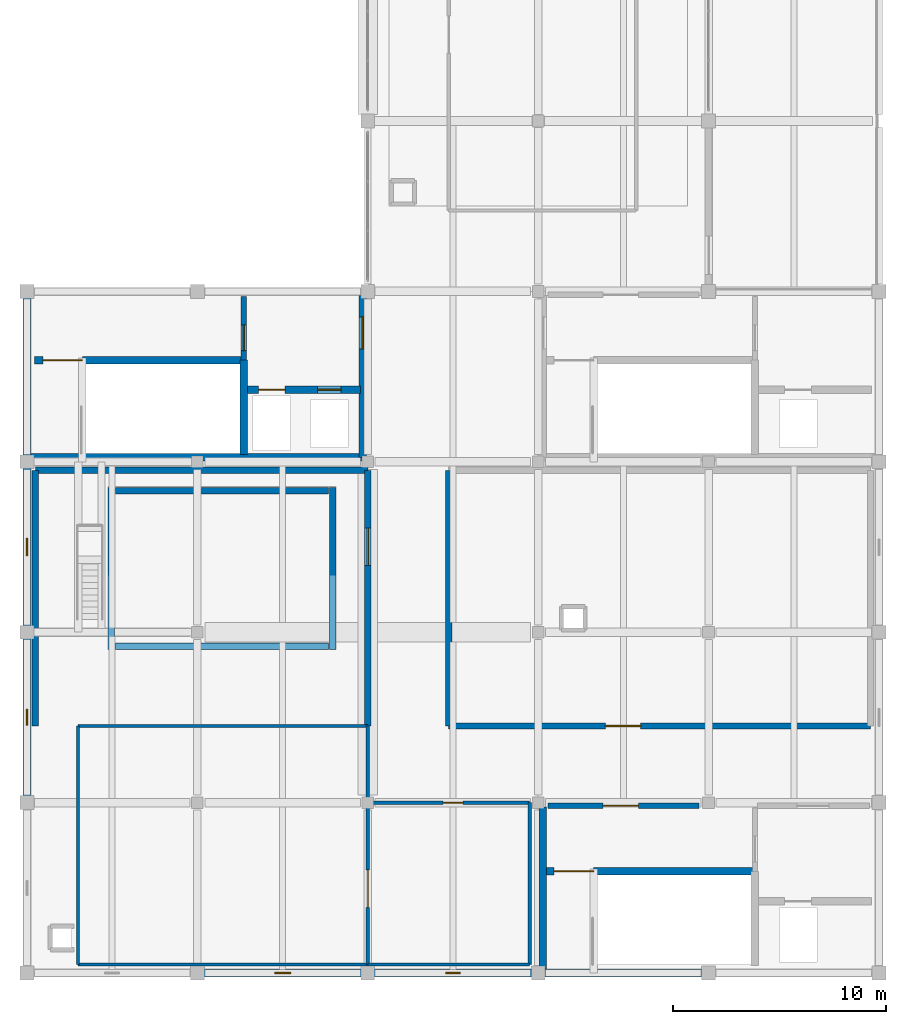
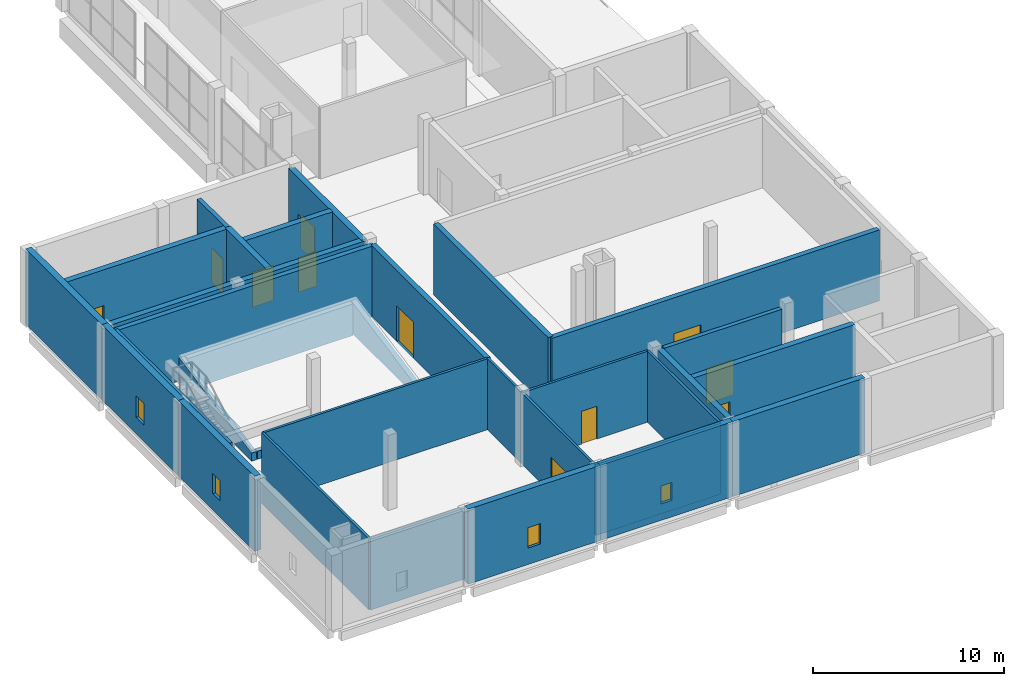
# One storey, part 5 of 8: 31 walls, 11 doors, 4 windows, 15 openings.
"""IFC4 building model written with IfcOpenShell, lengths in metres."""

from ifc_helpers import new_model, si_unit, direction, frame, frame_2d, origin, place, context, subcontext, project, spatial, polyline, rectangle, outline, extrude, material, layer, layer_set, type_object, element, fill, save


model = new_model("IFC4")

# Units and contexts
model_context = context("Model", 3, precision=1e-05, world=origin(), true_north=direction((0.0, 1.0)))
body_context = subcontext(model_context, "Body", "Model", "MODEL_VIEW")
ifc_project = project(units=[si_unit("LENGTHUNIT", "METRE"), si_unit("AREAUNIT", "SQUARE_METRE"), si_unit("VOLUMEUNIT", "CUBIC_METRE"), si_unit("PLANEANGLEUNIT", "RADIAN"), si_unit("MASSUNIT", "GRAM", prefix="KILO")], contexts=[model_context])

# Site, building, storey
site_placement = place(None, origin())
site = spatial("IfcSite", under=ifc_project, at=site_placement, CompositionType="ELEMENT")
building_placement = place(site_placement, origin())
building = spatial("IfcBuilding", under=site, at=building_placement, Name="Qorikala Patio Media Centre", CompositionType="ELEMENT")
storey_placement = place(building_placement, frame((0.0, 0.0, 27.89990234375)))
storey = spatial("IfcBuildingStorey", under=building, at=storey_placement, Name="L06", CompositionType="ELEMENT", Elevation=27.89990234375)

# Walls
ifc_material_1 = material(Name="Concrete C35/45", Category="concrete")
ifc_layer_1 = layer(ifc_material_1, 0.300048828125)
ifc_layer_set_1 = layer_set([ifc_layer_1], Name="Concrete C35/45")
wall_type_1 = type_object("IfcWallType", Name="WL-AC-300", PredefinedType="SHEAR", material=ifc_layer_set_1)
for number, where, z_axis, x_axis, name in (
    (1, (6.949951171875, 18.199951171875, 0.0), (0.0, 0.0, 1.0), (0.0, 1.0, 0.0), "Premiere Cinema Screen 7 Balcony Seating Tier Raker Cheek Wall W"),
    (2, (17.35009765625, 18.199951171875, 0.0), (0.0, 0.0, 1.0), (0.0, 1.0, 0.0), "Premiere Cinema Screen 7 Balcony Seating Tier Raker Cheek Wall E"),
):
    element("IfcWall", number, at=place(storey_placement, frame(where, z_axis=z_axis, x_axis=x_axis)), inside=storey, type_object=wall_type_1, Name=name, PredefinedType="SHEAR", context=body_context, shape_type="SweptSolid", body=[
        extrude(outline(polyline([(0.0, 0.0), (7.60009765625, 0.0), (7.60009765625, 2.02001953125), (0.0, 0.52001953125), (0.0, 0.0)])), frame((0.0, 0.14990234375, 0.0), z_axis=(0.0, -1.0, 0.0), x_axis=(1.0, 0.0, 0.0)), (0.0, 0.0, 1.0), 0.300048828125),
    ])
wall_1_placement = place(storey_placement, frame((7.14990234375, 25.64990234375, 0.0), z_axis=(0.0, 0.0, 1.0), x_axis=(1.0, 0.0, 0.0)))
element("IfcWall", 3, at=wall_1_placement, inside=storey, type_object=wall_type_1, Name="Premiere Cinema Screen 7 Balcony Seating Tier Rear Riser Support Wall", PredefinedType="SHEAR", context=body_context, shape_type="SweptSolid", body=[
    extrude(rectangle(XDim=10.0, YDim=0.300048828125, at=frame_2d((5.0, 0.0))), origin(), (0.0, 0.0, 1.0), 2.02001953125),
])
wall_2_placement = place(storey_placement, frame((7.14990234375, 18.35009765625, 0.0), z_axis=(0.0, 0.0, 1.0), x_axis=(1.0, 0.0, 0.0)))
element("IfcWall", 4, at=wall_2_placement, inside=storey, type_object=wall_type_1, Name="Premiere Cinema Screen 7 Balcony Seating Tier Front Riser Support Wall", PredefinedType="SHEAR", context=body_context, shape_type="SweptSolid", body=[
    extrude(rectangle(XDim=10.0, YDim=0.300048828125, at=frame_2d((5.0, 0.0))), origin(), (0.0, 0.0, 1.0), 0.52001953125),
])

# Wall, opening, door
wall_3_placement = place(storey_placement, frame((19.0, 14.60009765625, 0.0), z_axis=(0.0, 0.0, 1.0), x_axis=(0.0, 1.0, 0.0)))
wall_3 = element("IfcWall", 5, at=wall_3_placement, inside=storey, type_object=wall_type_1, Name="L06 Interior Wall WINT-L06-BAL7-E", PredefinedType="SHEAR", context=body_context, shape_type="SweptSolid", body=[
    extrude(rectangle(XDim=12.0, YDim=0.300048828125, at=frame_2d((6.0, 0.0))), origin(), (0.0, 0.0, 1.0), 4.5400390625),
])
opening_1_placement = place(wall_3_placement, frame((7.5380859375, 0.0, 0.0)))
opening_1 = element("IfcOpeningElement", 6, at=opening_1_placement, cuts=wall_3, Name="Opening D322", PredefinedType="OPENING", context=body_context, shape_type="SweptSolid", body=[
    extrude(rectangle(XDim=1.75, YDim=2.280029296875, at=frame_2d((0.875, 1.14013671875))), frame((0.0, 0.159912109375, 0.0), z_axis=(0.0, -1.0, 0.0), x_axis=(1.0, 0.0, 0.0)), (0.0, 0.0, 1.0), 0.320068359375),
])
ifc_material_2 = material(Name="Powder-Coated Acoustic Fire Steel", Category="steel")
door_type_1 = type_object("IfcDoorType", Name="DR-FD60-175X228", OperationType="DOUBLE_DOOR_SINGLE_SWING", PredefinedType="DOOR", material=ifc_material_2)
door_1_placement = place(opening_1_placement, origin())
door_1 = element("IfcDoor", 7, at=door_1_placement, inside=storey, type_object=door_type_1, Name="Premiere Cinema Upper Seating Tier Door 111", OperationType="DOUBLE_DOOR_SINGLE_SWING", OverallHeight=2.280029296875, OverallWidth=1.75, PredefinedType="DOOR", context=body_context, shape_type="SweptSolid", body=[
    extrude(rectangle(XDim=1.75, YDim=2.280029296875, at=frame_2d((0.875, 1.14013671875))), frame((0.0, 0.02490234375, 0.0), z_axis=(0.0, -1.0, 0.0), x_axis=(1.0, 0.0, 0.0)), (0.0, 0.0, 1.0), 0.050048828125),
])
fill(opening_1, door_1)

# Walls
wall_4_placement = place(storey_placement, frame((3.39990234375, 26.60009765625, 0.0), z_axis=(0.0, 0.0, 1.0), x_axis=(1.0, 0.0, 0.0)))
element("IfcWall", 8, at=wall_4_placement, inside=storey, type_object=wall_type_1, Name="L06 Interior Wall WINT-L06-BAL7-N", PredefinedType="SHEAR", context=body_context, shape_type="SweptSolid", body=[
    extrude(rectangle(XDim=15.60009765625, YDim=0.300048828125, at=frame_2d((7.800048828125, 0.0))), origin(), (0.0, 0.0, 1.0), 4.5400390625),
])
wall_5_placement = place(storey_placement, frame((3.39990234375, 14.60009765625, 0.0), z_axis=(0.0, 0.0, 1.0), x_axis=(0.0, 1.0, 0.0)))
element("IfcWall", 9, at=wall_5_placement, inside=storey, type_object=wall_type_1, Name="L06 Interior Wall WINT-L06-BAL7-W", PredefinedType="SHEAR", context=body_context, shape_type="SweptSolid", body=[
    extrude(rectangle(XDim=12.0, YDim=0.300048828125, at=frame_2d((6.0, 0.0))), origin(), (0.0, 0.0, 1.0), 4.5400390625),
])

# Wall, opening, door
wall_6_placement = place(storey_placement, frame((22.800048828125, 14.60009765625, 0.0), z_axis=(0.0, 0.0, 1.0), x_axis=(1.0, 0.0, 0.0)))
wall_6 = element("IfcWall", 10, at=wall_6_placement, inside=storey, type_object=wall_type_1, Name="L06 Interior Wall WINT-L06-MPRJ-S", PredefinedType="SHEAR", context=body_context, shape_type="SweptSolid", body=[
    extrude(rectangle(XDim=19.800048828125, YDim=0.300048828125, at=frame_2d((9.89990234375, 0.0))), origin(), (0.0, 0.0, 1.0), 4.5400390625),
])
opening_2_placement = place(wall_6_placement, frame((7.360107421875, 0.0, 0.0)))
opening_2 = element("IfcOpeningElement", 11, at=opening_2_placement, cuts=wall_6, Name="Opening D323", PredefinedType="OPENING", context=body_context, shape_type="SweptSolid", body=[
    extrude(rectangle(XDim=1.64990234375, YDim=2.25, at=frame_2d((0.824951171875, 1.125))), frame((0.0, 0.159912109375, 0.0), z_axis=(0.0, -1.0, 0.0), x_axis=(1.0, 0.0, 0.0)), (0.0, 0.0, 1.0), 0.320068359375),
])
door_type_2 = type_object("IfcDoorType", Name="DR-FD60-165X225", OperationType="DOUBLE_DOOR_SINGLE_SWING", PredefinedType="DOOR", material=ifc_material_2)
door_2_placement = place(opening_2_placement, origin())
door_2 = element("IfcDoor", 12, at=door_2_placement, inside=storey, type_object=door_type_2, Name="Master Premiere Projection Booth Door 112", OperationType="DOUBLE_DOOR_SINGLE_SWING", OverallHeight=2.25, OverallWidth=1.64990234375, PredefinedType="DOOR", context=body_context, shape_type="SweptSolid", body=[
    extrude(rectangle(XDim=1.64990234375, YDim=2.25, at=frame_2d((0.824951171875, 1.125))), frame((0.0, 0.02490234375, 0.0), z_axis=(0.0, -1.0, 0.0), x_axis=(1.0, 0.0, 0.0)), (0.0, 0.0, 1.0), 0.050048828125),
])
fill(opening_2, door_2)

# Walls
wall_7_placement = place(storey_placement, frame((22.800048828125, 14.60009765625, 0.0), z_axis=(0.0, 0.0, 1.0), x_axis=(0.0, 1.0, 0.0)))
element("IfcWall", 13, at=wall_7_placement, inside=storey, type_object=wall_type_1, Name="L06 Interior Wall WINT-L06-MPRJ-W", PredefinedType="SHEAR", context=body_context, shape_type="SweptSolid", body=[
    extrude(rectangle(XDim=12.0, YDim=0.300048828125, at=frame_2d((6.0, 0.0))), origin(), (0.0, 0.0, 1.0), 4.5400390625),
])
ifc_layer_2 = layer(ifc_material_1, 0.35009765625)
ifc_layer_set_2 = layer_set([ifc_layer_2], Name="Concrete C35/45")
wall_type_2 = type_object("IfcWallType", Name="WL-CORE-350", PredefinedType="SHEAR", material=ifc_layer_set_2)
wall_8_placement = place(storey_placement, frame((27.22509765625, 3.199951171875, 0.0), z_axis=(0.0, 0.0, 1.0), x_axis=(0.0, 1.0, 0.0)))
element("IfcWall", 14, at=wall_8_placement, inside=storey, type_object=wall_type_2, Name="L06 Interior Wall CW-L06-C1-SW", PredefinedType="SHEAR", context=body_context, shape_type="SweptSolid", body=[
    extrude(rectangle(XDim=7.60009765625, YDim=0.35009765625, at=frame_2d((3.800048828125, 0.0))), origin(), (0.0, 0.0, 1.0), 4.5400390625),
])

# Wall, opening, door
wall_9_placement = place(storey_placement, frame((27.35009765625, 7.77490234375, 0.0), z_axis=(0.0, 0.0, 1.0), x_axis=(1.0, 0.0, 0.0)))
wall_9 = element("IfcWall", 15, at=wall_9_placement, inside=storey, type_object=wall_type_2, Name="L06 Interior Wall CW-L06-C1-SN", PredefinedType="SHEAR", context=body_context, shape_type="SweptSolid", body=[
    extrude(rectangle(XDim=9.824951171875, YDim=0.35009765625, at=frame_2d((4.91259765625, 0.0))), origin(), (0.0, 0.0, 1.0), 4.5400390625),
])
opening_3_placement = place(wall_9_placement, frame((0.39990234375, 0.0, 0.0)))
opening_3 = element("IfcOpeningElement", 16, at=opening_3_placement, cuts=wall_9, Name="Opening D051", PredefinedType="OPENING", context=body_context, shape_type="SweptSolid", body=[
    extrude(rectangle(XDim=1.85009765625, YDim=2.25, at=frame_2d((0.925048828125, 1.125))), frame((0.0, 0.18505859375, 0.0), z_axis=(0.0, -1.0, 0.0), x_axis=(1.0, 0.0, 0.0)), (0.0, 0.0, 1.0), 0.3701171875),
])
door_type_3 = type_object("IfcDoorType", Name="DR-FD60-185X225", OperationType="DOUBLE_DOOR_SINGLE_SWING", PredefinedType="DOOR", material=ifc_material_2)
door_3_placement = place(opening_3_placement, origin())
door_3 = element("IfcDoor", 17, at=door_3_placement, inside=storey, type_object=door_type_3, Name="L06 Stair ST-1 Fire Door", OperationType="DOUBLE_DOOR_SINGLE_SWING", OverallHeight=2.25, OverallWidth=1.85009765625, PredefinedType="DOOR", context=body_context, shape_type="SweptSolid", body=[
    extrude(rectangle(XDim=1.85009765625, YDim=2.25, at=frame_2d((0.925048828125, 1.125))), frame((0.0, 0.02490234375, 0.0), z_axis=(0.0, -1.0, 0.0), x_axis=(1.0, 0.0, 0.0)), (0.0, 0.0, 1.0), 0.050048828125),
])
fill(opening_3, door_3)

# Walls
wall_10_placement = place(storey_placement, frame((3.199951171875, 27.22509765625, 0.0), z_axis=(0.0, 0.0, 1.0), x_axis=(1.0, 0.0, 0.0)))
element("IfcWall", 18, at=wall_10_placement, inside=storey, type_object=wall_type_2, Name="L06 Core C2 Stair South Wall", PredefinedType="SHEAR", context=body_context, shape_type="SweptSolid", body=[
    extrude(rectangle(XDim=15.60009765625, YDim=0.35009765625, at=frame_2d((7.800048828125, 0.0))), origin(), (0.0, 0.0, 1.0), 4.5400390625),
])
wall_11_placement = place(storey_placement, frame((13.175048828125, 27.35009765625, 0.0), z_axis=(0.0, 0.0, 1.0), x_axis=(0.0, 1.0, 0.0)))
element("IfcWall", 19, at=wall_11_placement, inside=storey, type_object=wall_type_2, Name="L06 Interior Wall CW-L06-C2-SE", PredefinedType="SHEAR", context=body_context, shape_type="SweptSolid", body=[
    extrude(rectangle(XDim=4.4248046875, YDim=0.35009765625, at=frame_2d((2.21240234375, 0.0))), origin(), (0.0, 0.0, 1.0), 4.5400390625),
])

# Wall, opening, door
wall_12_placement = place(storey_placement, frame((18.77490234375, 27.199951171875, 0.0), z_axis=(0.0, 0.0, 1.0), x_axis=(0.0, 1.0, 0.0)))
wall_12 = element("IfcWall", 20, at=wall_12_placement, inside=storey, type_object=wall_type_2, Name="L06 Interior Wall CW-L06-C2-EE", PredefinedType="SHEAR", context=body_context, shape_type="SweptSolid", body=[
    extrude(rectangle(XDim=7.60009765625, YDim=0.35009765625, at=frame_2d((3.800048828125, 0.0))), origin(), (0.0, 0.0, 1.0), 4.5400390625),
])
opening_4_placement = place(wall_12_placement, frame((5.10009765625, 0.0, 0.0)))
opening_4 = element("IfcOpeningElement", 21, at=opening_4_placement, cuts=wall_12, Name="Opening D090", PredefinedType="OPENING", context=body_context, shape_type="SweptSolid", body=[
    extrude(rectangle(XDim=1.5, YDim=2.199951171875, at=frame_2d((0.75, 1.10009765625))), frame((0.0, 0.18505859375, 0.0), z_axis=(0.0, -1.0, 0.0), x_axis=(1.0, 0.0, 0.0)), (0.0, 0.0, 1.0), 0.3701171875),
])
door_type_4 = type_object("IfcDoorType", Name="DR-FD60-150X220", OperationType="DOUBLE_DOOR_SINGLE_SWING", PredefinedType="DOOR", material=ifc_material_2)
door_4_placement = place(opening_4_placement, origin())
door_4 = element("IfcDoor", 22, at=door_4_placement, inside=storey, type_object=door_type_4, Name="L06 Core C2 East Corridor Fire Door", OperationType="DOUBLE_DOOR_SINGLE_SWING", OverallHeight=2.199951171875, OverallWidth=1.5, PredefinedType="DOOR", context=body_context, shape_type="SweptSolid", body=[
    extrude(rectangle(XDim=1.5, YDim=2.199951171875, at=frame_2d((0.75, 1.10009765625))), frame((0.0, 0.02490234375, 0.0), z_axis=(0.0, -1.0, 0.0), x_axis=(1.0, 0.0, 0.0)), (0.0, 0.0, 1.0), 0.050048828125),
])
fill(opening_4, door_4)

wall_13_placement = place(storey_placement, frame((3.35009765625, 31.77490234375, 0.0), z_axis=(0.0, 0.0, 1.0), x_axis=(1.0, 0.0, 0.0)))
wall_13 = element("IfcWall", 23, at=wall_13_placement, inside=storey, type_object=wall_type_2, Name="L06 Interior Wall CW-L06-C2-SN", PredefinedType="SHEAR", context=body_context, shape_type="SweptSolid", body=[
    extrude(rectangle(XDim=9.824951171875, YDim=0.35009765625, at=frame_2d((4.91259765625, 0.0))), origin(), (0.0, 0.0, 1.0), 4.5400390625),
])
opening_5_placement = place(wall_13_placement, frame((0.39990234375, 0.0, 0.0)))
opening_5 = element("IfcOpeningElement", 24, at=opening_5_placement, cuts=wall_13, Name="Opening D088", PredefinedType="OPENING", context=body_context, shape_type="SweptSolid", body=[
    extrude(rectangle(XDim=1.85009765625, YDim=2.25, at=frame_2d((0.925048828125, 1.125))), frame((0.0, 0.18505859375, 0.0), z_axis=(0.0, -1.0, 0.0), x_axis=(1.0, 0.0, 0.0)), (0.0, 0.0, 1.0), 0.3701171875),
])
door_5_placement = place(opening_5_placement, origin())
door_5 = element("IfcDoor", 25, at=door_5_placement, inside=storey, type_object=door_type_3, Name="L06 Stair ST-2 Fire Door", OperationType="DOUBLE_DOOR_SINGLE_SWING", OverallHeight=2.25, OverallWidth=1.85009765625, PredefinedType="DOOR", context=body_context, shape_type="SweptSolid", body=[
    extrude(rectangle(XDim=1.85009765625, YDim=2.25, at=frame_2d((0.925048828125, 1.125))), frame((0.0, 0.02490234375, 0.0), z_axis=(0.0, -1.0, 0.0), x_axis=(1.0, 0.0, 0.0)), (0.0, 0.0, 1.0), 0.050048828125),
])
fill(opening_5, door_5)

# Wall, openings, doors
wall_14_placement = place(storey_placement, frame((13.175048828125, 30.375, 0.0), z_axis=(0.0, 0.0, 1.0), x_axis=(1.0, 0.0, 0.0)))
wall_14 = element("IfcWall", 26, at=wall_14_placement, inside=storey, type_object=wall_type_2, Name="L06 Interior Wall CW-L06-C2-LFN", PredefinedType="SHEAR", context=body_context, shape_type="SweptSolid", body=[
    extrude(rectangle(XDim=5.474853515625, YDim=0.35009765625, at=frame_2d((2.7373046875, 0.0))), origin(), (0.0, 0.0, 1.0), 4.5400390625),
])
opening_6_placement = place(wall_14_placement, frame((0.699951171875, 0.0, 0.0)))
opening_6 = element("IfcOpeningElement", 27, at=opening_6_placement, cuts=wall_14, Name="Opening LD22", PredefinedType="OPENING", context=body_context, shape_type="SweptSolid", body=[
    extrude(rectangle(XDim=1.25, YDim=2.25, at=frame_2d((0.625, 1.125))), frame((0.0, 0.18505859375, 0.0), z_axis=(0.0, -1.0, 0.0), x_axis=(1.0, 0.0, 0.0)), (0.0, 0.0, 1.0), 0.3701171875),
])
opening_7_placement = place(wall_14_placement, frame((3.47509765625, 0.0, 0.0)))
opening_7 = element("IfcOpeningElement", 28, at=opening_7_placement, cuts=wall_14, Name="Opening LD23", PredefinedType="OPENING", context=body_context, shape_type="SweptSolid", body=[
    extrude(rectangle(XDim=1.10009765625, YDim=2.199951171875, at=frame_2d((0.550048828125, 1.10009765625))), frame((0.0, 0.18505859375, 0.0), z_axis=(0.0, -1.0, 0.0), x_axis=(1.0, 0.0, 0.0)), (0.0, 0.0, 1.0), 0.3701171875),
])
ifc_material_3 = material(Name="Brushed Bronze Stainless Steel", Category="steel")
door_type_5 = type_object("IfcDoorType", Name="DR-LD-110X220", OperationType="DOUBLE_DOOR_SLIDING", PredefinedType="DOOR", material=ifc_material_3)
door_6_placement = place(opening_7_placement, origin())
door_6 = element("IfcDoor", 29, at=door_6_placement, inside=storey, type_object=door_type_5, Name="L06 Lift LP-04 Sliding Landing Door", OperationType="DOUBLE_DOOR_SLIDING", OverallHeight=2.199951171875, OverallWidth=1.10009765625, PredefinedType="DOOR", context=body_context, shape_type="SweptSolid", body=[
    extrude(rectangle(XDim=1.10009765625, YDim=2.199951171875, at=frame_2d((0.550048828125, 1.10009765625))), frame((0.0, 0.02490234375, 0.0), z_axis=(0.0, -1.0, 0.0), x_axis=(1.0, 0.0, 0.0)), (0.0, 0.0, 1.0), 0.050048828125),
])
fill(opening_7, door_6)
door_type_6 = type_object("IfcDoorType", Name="DR-LD-125X225", OperationType="DOUBLE_DOOR_SLIDING", PredefinedType="DOOR", material=ifc_material_3)
door_7_placement = place(opening_6_placement, origin())
door_7 = element("IfcDoor", 30, at=door_7_placement, inside=storey, type_object=door_type_6, Name="L06 Lift LF-02 Sliding Landing Door", OperationType="DOUBLE_DOOR_SLIDING", OverallHeight=2.25, OverallWidth=1.25, PredefinedType="DOOR", context=body_context, shape_type="SweptSolid", body=[
    extrude(rectangle(XDim=1.25, YDim=2.25, at=frame_2d((0.625, 1.125))), frame((0.0, 0.02490234375, 0.0), z_axis=(0.0, -1.0, 0.0), x_axis=(1.0, 0.0, 0.0)), (0.0, 0.0, 1.0), 0.050048828125),
])
fill(opening_6, door_7)

# Wall, opening, door
ifc_layer_3 = layer(ifc_material_1, 0.25)
ifc_layer_set_3 = layer_set([ifc_layer_3], Name="Concrete C35/45")
wall_type_3 = type_object("IfcWallType", Name="WL-FFL-250", PredefinedType="PARTITIONING", material=ifc_layer_set_3)
wall_15_placement = place(storey_placement, frame((27.449951171875, 10.85009765625, 0.0), z_axis=(0.0, 0.0, 1.0), x_axis=(1.0, 0.0, 0.0)))
wall_15 = element("IfcWall", 31, at=wall_15_placement, inside=storey, type_object=wall_type_3, Name="L06 Interior Wall CW-L06-C1-CN1", PredefinedType="PARTITIONING", context=body_context, shape_type="SweptSolid", body=[
    extrude(rectangle(XDim=7.10009765625, YDim=0.25, at=frame_2d((3.550048828125, 0.0))), origin(), (0.0, 0.0, 1.0), 4.5400390625),
])
opening_8_placement = place(wall_15_placement, frame((2.60009765625, 0.0, 0.0)))
opening_8 = element("IfcOpeningElement", 32, at=opening_8_placement, cuts=wall_15, Name="Opening D053", PredefinedType="OPENING", context=body_context, shape_type="SweptSolid", body=[
    extrude(rectangle(XDim=1.64990234375, YDim=2.25, at=frame_2d((0.824951171875, 1.125))), frame((0.0, 0.135009765625, 0.0), z_axis=(0.0, -1.0, 0.0), x_axis=(1.0, 0.0, 0.0)), (0.0, 0.0, 1.0), 0.27001953125),
])
door_8_placement = place(opening_8_placement, frame((1.64990234375, 0.0, 0.0), z_axis=(0.0, 0.0, 1.0), x_axis=(-1.0, 0.0, 0.0)))
door_8 = element("IfcDoor", 33, at=door_8_placement, inside=storey, type_object=door_type_2, Name="L06 Core C1 Vestibule Door", OperationType="DOUBLE_DOOR_SINGLE_SWING", OverallHeight=2.25, OverallWidth=1.64990234375, PredefinedType="DOOR", context=body_context, shape_type="SweptSolid", body=[
    extrude(rectangle(XDim=1.64990234375, YDim=2.25, at=frame_2d((0.824951171875, 1.125))), frame((0.0, 0.02490234375, 0.0), z_axis=(0.0, -1.0, 0.0), x_axis=(1.0, 0.0, 0.0)), (0.0, 0.0, 1.0), 0.050048828125),
])
fill(opening_8, door_8)

wall_16_placement = place(storey_placement, frame((13.175048828125, 31.77490234375, 0.0), z_axis=(0.0, 0.0, 1.0), x_axis=(0.0, 1.0, 0.0)))
wall_16 = element("IfcWall", 34, at=wall_16_placement, inside=storey, type_object=wall_type_3, Name="L06 Interior Wall CW-L06-C2-LBD", PredefinedType="PARTITIONING", context=body_context, shape_type="SweptSolid", body=[
    extrude(rectangle(XDim=2.97509765625, YDim=0.25, at=frame_2d((1.487548828125, 0.0))), origin(), (0.0, 0.0, 1.0), 4.5400390625),
])
opening_9_placement = place(wall_16_placement, frame((0.449951171875, 0.0, 0.0)))
opening_9 = element("IfcOpeningElement", 35, at=opening_9_placement, cuts=wall_16, Name="Opening D089", PredefinedType="OPENING", context=body_context, shape_type="SweptSolid", body=[
    extrude(rectangle(XDim=1.199951171875, YDim=2.199951171875, at=frame_2d((0.60009765625, 1.10009765625))), frame((0.0, 0.135009765625, 0.0), z_axis=(0.0, -1.0, 0.0), x_axis=(1.0, 0.0, 0.0)), (0.0, 0.0, 1.0), 0.27001953125),
])
ifc_material_4 = material(Name="Acoustic Fire Timber and Steel", Category="steel")
door_type_7 = type_object("IfcDoorType", Name="DR-FD60-120X220", OperationType="NOTDEFINED", PredefinedType="DOOR", material=ifc_material_4)
door_9_placement = place(opening_9_placement, origin())
door_9 = element("IfcDoor", 36, at=door_9_placement, inside=storey, type_object=door_type_7, Name="L06 Core C2 Firefighting Lobby Cross Door", OperationType="SINGLE_SWING_RIGHT", OverallHeight=2.199951171875, OverallWidth=1.199951171875, PredefinedType="DOOR", context=body_context, shape_type="SweptSolid", body=[
    extrude(rectangle(XDim=1.199951171875, YDim=2.199951171875, at=frame_2d((0.60009765625, 1.10009765625))), frame((0.0, 0.02490234375, 0.0), z_axis=(0.0, -1.0, 0.0), x_axis=(1.0, 0.0, 0.0)), (0.0, 0.0, 1.0), 0.050048828125),
])
fill(opening_9, door_9)

# Wall
ifc_material_5 = material(Name="Acoustic Gypsum Stud Partition")
ifc_layer_4 = layer(ifc_material_5, 0.14990234375)
ifc_layer_set_4 = layer_set([ifc_layer_4], Name="Acoustic Gypsum Stud Partition")
wall_type_4 = type_object("IfcWallType", Name="WL-PT-150", PredefinedType="PARTITIONING", material=ifc_layer_set_4)
wall_17_placement = place(storey_placement, frame((5.39990234375, 3.39990234375, 0.0), z_axis=(0.0, 0.0, 1.0), x_axis=(1.0, 0.0, 0.0)))
element("IfcWall", 37, at=wall_17_placement, inside=storey, type_object=wall_type_4, Name="L06 Interior Wall WINT-L06-CGAL-S", PredefinedType="PARTITIONING", context=body_context, shape_type="SweptSolid", body=[
    extrude(rectangle(XDim=13.60009765625, YDim=0.14990234375, at=frame_2d((6.800048828125, 0.0))), origin(), (0.0, 0.0, 1.0), 4.5400390625),
])

# Wall, opening, door
wall_18_placement = place(storey_placement, frame((19.0, 3.39990234375, 0.0), z_axis=(0.0, 0.0, 1.0), x_axis=(0.0, 1.0, 0.0)))
wall_18 = element("IfcWall", 38, at=wall_18_placement, inside=storey, type_object=wall_type_4, Name="L06 Interior Wall WINT-L06-CGAL-E", PredefinedType="PARTITIONING", context=body_context, shape_type="SweptSolid", body=[
    extrude(rectangle(XDim=11.2001953125, YDim=0.14990234375, at=frame_2d((5.60009765625, 0.0))), origin(), (0.0, 0.0, 1.0), 4.5400390625),
])
opening_10_placement = place(wall_18_placement, frame((2.68896484375, 0.0, 0.0)))
opening_10 = element("IfcOpeningElement", 39, at=opening_10_placement, cuts=wall_18, Name="Opening D320", PredefinedType="OPENING", context=body_context, shape_type="SweptSolid", body=[
    extrude(rectangle(XDim=1.75, YDim=2.300048828125, at=frame_2d((0.875, 1.14990234375))), frame((0.0, 0.0849609375, 0.0), z_axis=(0.0, -1.0, 0.0), x_axis=(1.0, 0.0, 0.0)), (0.0, 0.0, 1.0), 0.169921875),
])
ifc_material_6 = material(Name="Solid Andean Cedar Timber", Category="wood")
door_type_8 = type_object("IfcDoorType", Name="DR-IN-175X230", OperationType="DOUBLE_DOOR_SINGLE_SWING", PredefinedType="DOOR", material=ifc_material_6)
door_10_placement = place(opening_10_placement, origin())
door_10 = element("IfcDoor", 40, at=door_10_placement, inside=storey, type_object=door_type_8, Name="Sawtooth Clerestory Exhibition Gallery Door 109", OperationType="DOUBLE_DOOR_SINGLE_SWING", OverallHeight=2.300048828125, OverallWidth=1.75, PredefinedType="DOOR", context=body_context, shape_type="SweptSolid", body=[
    extrude(rectangle(XDim=1.75, YDim=2.300048828125, at=frame_2d((0.875, 1.14990234375))), frame((0.0, 0.02490234375, 0.0), z_axis=(0.0, -1.0, 0.0), x_axis=(1.0, 0.0, 0.0)), (0.0, 0.0, 1.0), 0.050048828125),
])
fill(opening_10, door_10)

# Walls
wall_19_placement = place(storey_placement, frame((5.39990234375, 14.60009765625, 0.0), z_axis=(0.0, 0.0, 1.0), x_axis=(1.0, 0.0, 0.0)))
element("IfcWall", 41, at=wall_19_placement, inside=storey, type_object=wall_type_4, Name="L06 Interior Wall WINT-L06-CGAL-N", PredefinedType="PARTITIONING", context=body_context, shape_type="SweptSolid", body=[
    extrude(rectangle(XDim=13.60009765625, YDim=0.14990234375, at=frame_2d((6.800048828125, 0.0))), origin(), (0.0, 0.0, 1.0), 4.5400390625),
])
wall_20_placement = place(storey_placement, frame((5.39990234375, 3.39990234375, 0.0), z_axis=(0.0, 0.0, 1.0), x_axis=(0.0, 1.0, 0.0)))
element("IfcWall", 42, at=wall_20_placement, inside=storey, type_object=wall_type_4, Name="L06 Interior Wall WINT-L06-CGAL-W", PredefinedType="PARTITIONING", context=body_context, shape_type="SweptSolid", body=[
    extrude(rectangle(XDim=11.2001953125, YDim=0.14990234375, at=frame_2d((5.60009765625, 0.0))), origin(), (0.0, 0.0, 1.0), 4.5400390625),
])
for number, where, z_axis, x_axis, name in (
    (43, (19.0, 3.39990234375, 0.0), (0.0, 0.0, 1.0), (1.0, 0.0, 0.0), "L06 Interior Wall WINT-L06-ASAL-S"),
    (44, (26.60009765625, 3.39990234375, 0.0), (0.0, 0.0, 1.0), (0.0, 1.0, 0.0), "L06 Interior Wall WINT-L06-ASAL-E"),
):
    element("IfcWall", number, at=place(storey_placement, frame(where, z_axis=z_axis, x_axis=x_axis)), inside=storey, type_object=wall_type_4, Name=name, PredefinedType="PARTITIONING", context=body_context, shape_type="SweptSolid", body=[
        extrude(rectangle(XDim=7.60009765625, YDim=0.14990234375, at=frame_2d((3.800048828125, 0.0))), origin(), (0.0, 0.0, 1.0), 4.5400390625),
    ])

# Wall, opening, door
wall_21_placement = place(storey_placement, frame((19.0, 11.0, 0.0), z_axis=(0.0, 0.0, 1.0), x_axis=(1.0, 0.0, 0.0)))
wall_21 = element("IfcWall", 45, at=wall_21_placement, inside=storey, type_object=wall_type_4, Name="L06 Interior Wall WINT-L06-ASAL-N", PredefinedType="PARTITIONING", context=body_context, shape_type="SweptSolid", body=[
    extrude(rectangle(XDim=7.60009765625, YDim=0.14990234375, at=frame_2d((3.800048828125, 0.0))), origin(), (0.0, 0.0, 1.0), 4.5400390625),
])
opening_11_placement = place(wall_21_placement, frame((3.5439453125, 0.0, 0.0)))
opening_11 = element("IfcOpeningElement", 46, at=opening_11_placement, cuts=wall_21, Name="Opening D321", PredefinedType="OPENING", context=body_context, shape_type="SweptSolid", body=[
    extrude(rectangle(XDim=0.919921875, YDim=2.10009765625, at=frame_2d((0.4599609375, 1.050048828125))), frame((0.0, 0.0849609375, 0.0), z_axis=(0.0, -1.0, 0.0), x_axis=(1.0, 0.0, 0.0)), (0.0, 0.0, 1.0), 0.169921875),
])
ifc_material_7 = material(Name="Painted Hardwood Timber", Category="wood")
door_type_9 = type_object("IfcDoorType", Name="DR-IN-092X210", OperationType="NOTDEFINED", PredefinedType="DOOR", material=ifc_material_7)
door_11_placement = place(opening_11_placement, origin())
door_11 = element("IfcDoor", 47, at=door_11_placement, inside=storey, type_object=door_type_9, Name="Festival Archive Reading Salon Door 110", OperationType="SINGLE_SWING_RIGHT", OverallHeight=2.10009765625, OverallWidth=0.919921875, PredefinedType="DOOR", context=body_context, shape_type="SweptSolid", body=[
    extrude(rectangle(XDim=0.919921875, YDim=2.10009765625, at=frame_2d((0.4599609375, 1.050048828125))), frame((0.0, 0.02490234375, 0.0), z_axis=(0.0, -1.0, 0.0), x_axis=(1.0, 0.0, 0.0)), (0.0, 0.0, 1.0), 0.050048828125),
])
fill(opening_11, door_11)

# Wall, opening, window
ifc_material_8 = material(Name="Comanche Granite and Concrete C35/45", Category="masonry")
ifc_layer_5 = layer(ifc_material_8, 0.3798828125)
ifc_layer_set_5 = layer_set([ifc_layer_5], Name="Comanche Granite and Concrete C35/45")
wall_type_5 = type_object("IfcWallType", Name="WL-STONE-380", PredefinedType="SOLIDWALL", material=ifc_layer_set_5)
wall_22_placement = place(storey_placement, frame((3.0, 11.0, 0.0), z_axis=(0.0, 0.0, 1.0), x_axis=(0.0, 1.0, 0.0)))
wall_22 = element("IfcWall", 48, at=wall_22_placement, inside=storey, type_object=wall_type_5, Name="L06 Exterior Wall WL-L06-EXT-0006", PredefinedType="SOLIDWALL", context=body_context, shape_type="SweptSolid", body=[
    extrude(rectangle(XDim=8.0, YDim=0.3798828125, at=frame_2d((4.0, 0.0))), origin(), (0.0, 0.0, 1.0), 4.800048828125),
])
opening_12_placement = place(wall_22_placement, frame((3.625, 0.0, 1.050048828125)))
opening_12 = element("IfcOpeningElement", 49, at=opening_12_placement, cuts=wall_22, Name="Opening WG-075", PredefinedType="OPENING", context=body_context, shape_type="SweptSolid", body=[
    extrude(rectangle(XDim=0.75, YDim=1.300048828125, at=frame_2d((0.375, 0.64990234375))), frame((0.0, 0.199951171875, 0.0), z_axis=(0.0, -1.0, 0.0), x_axis=(1.0, 0.0, 0.0)), (0.0, 0.0, 1.0), 0.39990234375),
])
ifc_material_9 = material(Name="Bronze Anodised Aluminium and Low-E Glass", Category="aluminium")
window_type_1 = type_object("IfcWindowType", Name="WN-GRAD-075X130", PartitioningType="SINGLE_PANEL", PredefinedType="WINDOW", material=ifc_material_9)
window_1_placement = place(opening_12_placement, origin())
window_1 = element("IfcWindow", 50, at=window_1_placement, inside=storey, type_object=window_type_1, Name="L06 Graduated Stone Window 0250", OverallHeight=1.300048828125, OverallWidth=0.75, PartitioningType="SINGLE_PANEL", PredefinedType="WINDOW", context=body_context, shape_type="SweptSolid", body=[
    extrude(rectangle(XDim=0.75, YDim=1.300048828125, at=frame_2d((0.375, 0.64990234375))), frame((0.0, 0.030029296875, 0.0), z_axis=(0.0, -1.0, 0.0), x_axis=(1.0, 0.0, 0.0)), (0.0, 0.0, 1.0), 0.06005859375),
])
fill(opening_12, window_1)

wall_23_placement = place(storey_placement, frame((3.0, 19.0, 0.0), z_axis=(0.0, 0.0, 1.0), x_axis=(0.0, 1.0, 0.0)))
wall_23 = element("IfcWall", 51, at=wall_23_placement, inside=storey, type_object=wall_type_5, Name="L06 Exterior Wall WL-L06-EXT-0007", PredefinedType="SOLIDWALL", context=body_context, shape_type="SweptSolid", body=[
    extrude(rectangle(XDim=8.0, YDim=0.3798828125, at=frame_2d((4.0, 0.0))), origin(), (0.0, 0.0, 1.0), 4.800048828125),
])
opening_13_placement = place(wall_23_placement, frame((3.590087890625, 0.0, 1.050048828125)))
opening_13 = element("IfcOpeningElement", 52, at=opening_13_placement, cuts=wall_23, Name="Opening WG-082", PredefinedType="OPENING", context=body_context, shape_type="SweptSolid", body=[
    extrude(rectangle(XDim=0.820068359375, YDim=1.3798828125, at=frame_2d((0.41015625, 0.68994140625))), frame((0.0, 0.199951171875, 0.0), z_axis=(0.0, -1.0, 0.0), x_axis=(1.0, 0.0, 0.0)), (0.0, 0.0, 1.0), 0.39990234375),
])
window_type_2 = type_object("IfcWindowType", Name="WN-GRAD-082X138", PartitioningType="SINGLE_PANEL", PredefinedType="WINDOW", material=ifc_material_9)
window_2_placement = place(opening_13_placement, origin())
window_2 = element("IfcWindow", 53, at=window_2_placement, inside=storey, type_object=window_type_2, Name="L06 Graduated Stone Window 0251", OverallHeight=1.3798828125, OverallWidth=0.820068359375, PartitioningType="SINGLE_PANEL", PredefinedType="WINDOW", context=body_context, shape_type="SweptSolid", body=[
    extrude(rectangle(XDim=0.820068359375, YDim=1.3798828125, at=frame_2d((0.41015625, 0.68994140625))), frame((0.0, 0.030029296875, 0.0), z_axis=(0.0, -1.0, 0.0), x_axis=(1.0, 0.0, 0.0)), (0.0, 0.0, 1.0), 0.06005859375),
])
fill(opening_13, window_2)

# Walls
for number, where, z_axis, x_axis, name in (
    (54, (3.0, 27.0, 0.0), (0.0, 0.0, 1.0), (0.0, 1.0, 0.0), "L06 Core C2 Exterior Shear Wall"),
    (55, (35.0, 3.0, 0.0), (0.0, 0.0, 1.0), (-1.0, 0.0, 0.0), "L06 Core C1 Exterior Shear Wall"),
):
    element("IfcWall", number, at=place(storey_placement, frame(where, z_axis=z_axis, x_axis=x_axis)), inside=storey, type_object=wall_type_5, Name=name, PredefinedType="SOLIDWALL", context=body_context, shape_type="SweptSolid", body=[
        extrude(rectangle(XDim=8.0, YDim=0.3798828125, at=frame_2d((4.0, 0.0))), origin(), (0.0, 0.0, 1.0), 4.800048828125),
    ])

# Wall, opening, window
wall_24_placement = place(storey_placement, frame((27.0, 3.0, 0.0), z_axis=(0.0, 0.0, 1.0), x_axis=(-1.0, 0.0, 0.0)))
wall_24 = element("IfcWall", 56, at=wall_24_placement, inside=storey, type_object=wall_type_5, Name="L06 Exterior Wall WL-L06-EXT-0019", PredefinedType="SOLIDWALL", context=body_context, shape_type="SweptSolid", body=[
    extrude(rectangle(XDim=8.0, YDim=0.3798828125, at=frame_2d((4.0, 0.0))), origin(), (0.0, 0.0, 1.0), 4.800048828125),
])
opening_14_placement = place(wall_24_placement, frame((3.659912109375, 0.0, 1.050048828125)))
opening_14 = element("IfcOpeningElement", 57, at=opening_14_placement, cuts=wall_24, Name="Opening WG-068", PredefinedType="OPENING", context=body_context, shape_type="SweptSolid", body=[
    extrude(rectangle(XDim=0.679931640625, YDim=1.14990234375, at=frame_2d((0.33984375, 0.574951171875))), frame((0.0, 0.199951171875, 0.0), z_axis=(0.0, -1.0, 0.0), x_axis=(1.0, 0.0, 0.0)), (0.0, 0.0, 1.0), 0.39990234375),
])
window_type_3 = type_object("IfcWindowType", Name="WN-GRAD-068X115", PartitioningType="SINGLE_PANEL", PredefinedType="WINDOW", material=ifc_material_9)
window_3_placement = place(opening_14_placement, origin())
window_3 = element("IfcWindow", 58, at=window_3_placement, inside=storey, type_object=window_type_3, Name="L06 Graduated Stone Window 0254", OverallHeight=1.14990234375, OverallWidth=0.679931640625, PartitioningType="SINGLE_PANEL", PredefinedType="WINDOW", context=body_context, shape_type="SweptSolid", body=[
    extrude(rectangle(XDim=0.679931640625, YDim=1.14990234375, at=frame_2d((0.33984375, 0.574951171875))), frame((0.0, 0.030029296875, 0.0), z_axis=(0.0, -1.0, 0.0), x_axis=(1.0, 0.0, 0.0)), (0.0, 0.0, 1.0), 0.06005859375),
])
fill(opening_14, window_3)

wall_25_placement = place(storey_placement, frame((19.0, 3.0, 0.0), z_axis=(0.0, 0.0, 1.0), x_axis=(-1.0, 0.0, 0.0)))
wall_25 = element("IfcWall", 59, at=wall_25_placement, inside=storey, type_object=wall_type_5, Name="L06 Exterior Wall WL-L06-EXT-0020", PredefinedType="SOLIDWALL", context=body_context, shape_type="SweptSolid", body=[
    extrude(rectangle(XDim=8.0, YDim=0.3798828125, at=frame_2d((4.0, 0.0))), origin(), (0.0, 0.0, 1.0), 4.800048828125),
])
opening_15_placement = place(wall_25_placement, frame((3.625, 0.0, 1.050048828125)))
opening_15 = element("IfcOpeningElement", 60, at=opening_15_placement, cuts=wall_25, Name="Opening WG-075", PredefinedType="OPENING", context=body_context, shape_type="SweptSolid", body=[
    extrude(rectangle(XDim=0.75, YDim=1.300048828125, at=frame_2d((0.375, 0.64990234375))), frame((0.0, 0.199951171875, 0.0), z_axis=(0.0, -1.0, 0.0), x_axis=(1.0, 0.0, 0.0)), (0.0, 0.0, 1.0), 0.39990234375),
])
window_4_placement = place(opening_15_placement, origin())
window_4 = element("IfcWindow", 61, at=window_4_placement, inside=storey, type_object=window_type_1, Name="L06 Graduated Stone Window 0255", OverallHeight=1.300048828125, OverallWidth=0.75, PartitioningType="SINGLE_PANEL", PredefinedType="WINDOW", context=body_context, shape_type="SweptSolid", body=[
    extrude(rectangle(XDim=0.75, YDim=1.300048828125, at=frame_2d((0.375, 0.64990234375))), frame((0.0, 0.030029296875, 0.0), z_axis=(0.0, -1.0, 0.0), x_axis=(1.0, 0.0, 0.0)), (0.0, 0.0, 1.0), 0.06005859375),
])
fill(opening_15, window_4)

save(model, "model.ifc")
